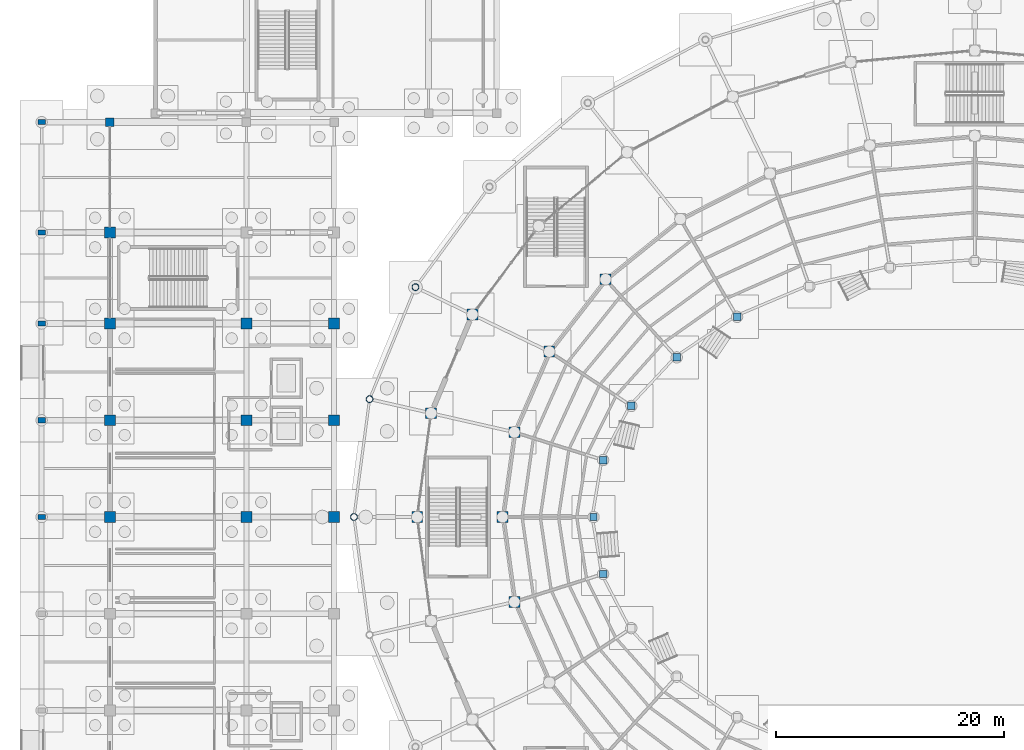
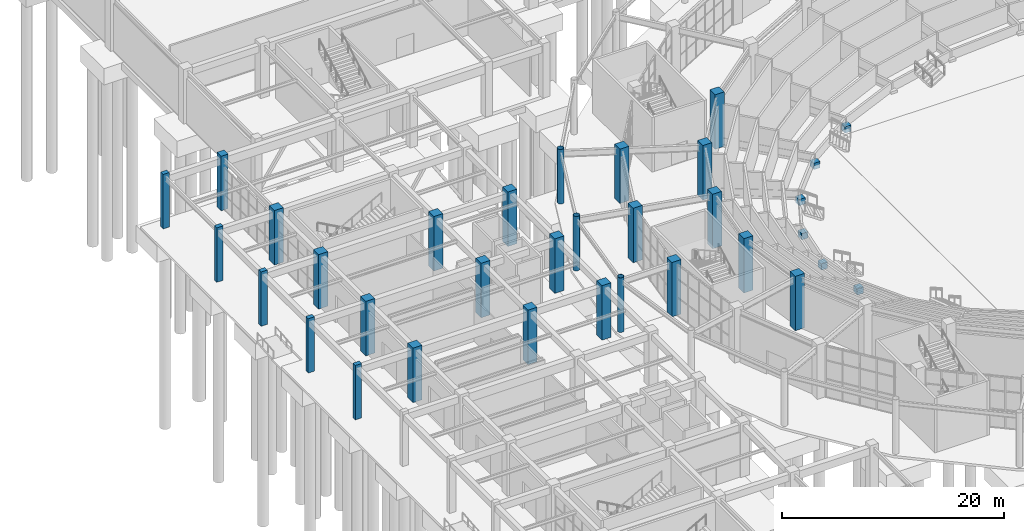
# One storey, part 14 of 121: 33 columns.
"""IFC4 building model written with IfcOpenShell, lengths in metres."""

from ifc_helpers import new_model, si_unit, direction, frame, origin, origin_2d, place, context, subcontext, project, spatial, rectangle, hollow_circle, extrude, material, material_profile, profile_set, type_object, element, save


model = new_model("IFC4")

# Units and contexts
model_context = context("Model", 3, precision=1e-05, world=origin(), true_north=direction((0.0, 1.0)))
body_context = subcontext(model_context, "Body", "Model", "MODEL_VIEW")
ifc_project = project(units=[si_unit("LENGTHUNIT", "METRE"), si_unit("AREAUNIT", "SQUARE_METRE"), si_unit("VOLUMEUNIT", "CUBIC_METRE"), si_unit("PLANEANGLEUNIT", "RADIAN"), si_unit("MASSUNIT", "GRAM", prefix="KILO")], contexts=[model_context])

# Site, building, storey
site_placement = place(None, origin())
site = spatial("IfcSite", under=ifc_project, at=site_placement, CompositionType="ELEMENT")
building_placement = place(site_placement, origin())
building = spatial("IfcBuilding", under=site, at=building_placement, Name="Cuetzalor Civic Arena", CompositionType="ELEMENT")
storey_placement = place(building_placement, origin())
storey = spatial("IfcBuildingStorey", under=building, at=storey_placement, Name="L00", CompositionType="ELEMENT", Elevation=0.0)

# Columns
ifc_material_1 = material(Name="Concrete C40/50", Category="concrete")
ifc_material_profile_1 = material_profile(ifc_material_1, rectangle(XDim=0.64990234375, YDim=0.449951171875, at=origin_2d()), Name="RC 650x450")
ifc_profile_set_1 = profile_set([ifc_material_profile_1], Name="Concrete C40/50")
column_type_1 = type_object("IfcColumnType", Name="ArcadePilaster_650x450", PredefinedType="PILASTER", material=ifc_profile_set_1)
for number, where, z_axis, x_axis, name in (
    (1, (-82.0, 0.0, 0.0), (0.0, 0.0, 1.0), (1.0, 0.0, 0.0), "Column V4W-C-01-07 L00"),
    (2, (-82.0, 8.5, 0.0), (0.0, 0.0, 1.0), (1.0, 0.0, 0.0), "Column V4W-C-01-08 L00"),
    (3, (-82.0, 17.0, 0.0), (0.0, 0.0, 1.0), (1.0, 0.0, 0.0), "Column V4W-C-01-09 L00"),
    (4, (-82.0, 25.0, 0.0), (0.0, 0.0, 1.0), (1.0, 0.0, 0.0), "Column V4W-C-01-10 L00"),
    (5, (-82.0, 34.699951171875, 0.0), (0.0, 0.0, 1.0), (1.0, 0.0, 0.0), "Column V4W-C-01-11 L00"),
):
    element("IfcColumn", number, at=place(storey_placement, frame(where, z_axis=z_axis, x_axis=x_axis)), inside=storey, type_object=column_type_1, Name=name, PredefinedType="PILASTER", context=body_context, shape_type="SweptSolid", body=[
        extrude(rectangle(XDim=0.64990234375, YDim=0.449951171875, at=origin_2d()), origin(), (0.0, 0.0, 1.0), 6.0),
    ])
ifc_material_2 = material(Name="Concrete C40/50", Category="concrete")
ifc_material_profile_2 = material_profile(ifc_material_2, rectangle(XDim=0.64990234375, YDim=0.64990234375, at=origin_2d()), Name="RC 650x650")
ifc_profile_set_2 = profile_set([ifc_material_profile_2], Name="Concrete C40/50")
column_type_2 = type_object("IfcColumnType", Name="ConcreteColumn_650", PredefinedType="COLUMN", material=ifc_profile_set_2)
for number, where, z_axis, x_axis, name in (
    (6, (-20.886962890625, 17.59130859375, -0.419921875), (0.0, 0.0, 1.0), (1.0, 0.0, 0.0), "Column V1-INR-11 L00"),
    (7, (-26.19140625, 14.028564453125, -0.419921875), (0.0, 0.0, 1.0), (1.0, 0.0, 0.0), "Column V1-INR-12 L00"),
    (8, (-30.1826171875, 9.762451171875, -0.419921875), (0.0, 0.0, 1.0), (1.0, 0.0, 0.0), "Column V1-INR-13 L00"),
    (9, (-32.66015625, 5.006591796875, -0.419921875), (0.0, 0.0, 1.0), (1.0, 0.0, 0.0), "Column V1-INR-14 L00"),
    (10, (-33.5, 0.0, -0.419921875), (0.0, 0.0, 1.0), (1.0, 0.0, 0.0), "Column V1-INR-15 L00"),
    (11, (-32.66015625, -5.006591796875, -0.419921875), (0.0, 0.0, 1.0), (1.0, 0.0, 0.0), "Column V1-INR-16 L00"),
):
    element("IfcColumn", number, at=place(storey_placement, frame(where, z_axis=z_axis, x_axis=x_axis)), inside=storey, type_object=column_type_2, Name=name, PredefinedType="COLUMN", context=body_context, shape_type="SweptSolid", body=[
        extrude(rectangle(XDim=0.64990234375, YDim=0.64990234375, at=origin_2d()), origin(), (0.0, 0.0, 1.0), 0.68701171875),
    ])
ifc_material_3 = material(Name="Concrete C40/50", Category="concrete")
ifc_material_profile_3 = material_profile(ifc_material_3, rectangle(XDim=0.75, YDim=0.75, at=origin_2d()), Name="RC 750x750")
ifc_profile_set_3 = profile_set([ifc_material_profile_3], Name="Concrete C40/50")
column_type_3 = type_object("IfcColumnType", Name="ConcreteColumn_750", PredefinedType="COLUMN", material=ifc_profile_set_3)
column_placement = place(storey_placement, frame((-76.0, 34.699951171875, 0.0), z_axis=(0.0, 0.0, 1.0), x_axis=(1.0, 0.0, 0.0)))
element("IfcColumn", 12, at=column_placement, inside=storey, type_object=column_type_3, Name="Column V4W-C-02-11 L00", PredefinedType="COLUMN", context=body_context, shape_type="SweptSolid", body=[
    extrude(rectangle(XDim=0.75, YDim=0.75, at=origin_2d()), origin(), (0.0, 0.0, 1.0), 6.0),
])
ifc_material_4 = material(Name="Concrete C40/50", Category="concrete")
ifc_material_profile_4 = material_profile(ifc_material_4, rectangle(XDim=0.949951171875, YDim=0.949951171875, at=origin_2d()), Name="RC 950x950")
ifc_profile_set_4 = profile_set([ifc_material_profile_4], Name="Concrete C40/50")
column_type_4 = type_object("IfcColumnType", Name="ConcreteColumn_950", PredefinedType="COLUMN", material=ifc_profile_set_4)
for number, where, z_axis, x_axis, name in (
    (13, (-32.446044921875, 20.886962890625, 0.0), (0.0, 0.0, 1.0), (1.0, 0.0, 0.0), "Column V1-MID-12 L00"),
    (14, (-44.1474609375, 17.789306640625, 0.0), (0.0, 0.0, 1.0), (1.0, 0.0, 0.0), "Column V1-REC-13 L00"),
    (15, (-37.39013671875, 14.53515625, 0.0), (0.0, 0.0, 1.0), (1.0, 0.0, 0.0), "Column V1-MID-13 L00"),
    (16, (-47.771484375, 9.123291015625, 0.0), (0.0, 0.0, 1.0), (1.0, 0.0, 0.0), "Column V1-REC-14 L00"),
    (17, (-40.45947265625, 7.45458984375, 0.0), (0.0, 0.0, 1.0), (1.0, 0.0, 0.0), "Column V1-MID-14 L00"),
    (18, (-49.0, 0.0, 0.0), (0.0, 0.0, 1.0), (1.0, 0.0, 0.0), "Column V1-REC-15 L00"),
    (19, (-41.5, 0.0, 0.0), (0.0, 0.0, 1.0), (1.0, 0.0, 0.0), "Column V1-MID-15 L00"),
    (20, (-40.45947265625, -7.45458984375, 0.0), (0.0, 0.0, 1.0), (1.0, 0.0, 0.0), "Column V1-MID-16 L00"),
    (21, (-76.0, 0.0, 0.0), (0.0, 0.0, 1.0), (1.0, 0.0, 0.0), "Column V4W-C-02-07 L00"),
    (22, (-76.0, 8.5, 0.0), (0.0, 0.0, 1.0), (1.0, 0.0, 0.0), "Column V4W-C-02-08 L00"),
    (23, (-76.0, 17.0, 0.0), (0.0, 0.0, 1.0), (1.0, 0.0, 0.0), "Column V4W-C-02-09 L00"),
    (24, (-76.0, 25.0, 0.0), (0.0, 0.0, 1.0), (1.0, 0.0, 0.0), "Column V4W-C-02-10 L00"),
    (25, (-64.0, 0.0, 0.0), (0.0, 0.0, 1.0), (1.0, 0.0, 0.0), "Column V4W-C-03-07 L00"),
    (26, (-64.0, 8.5, 0.0), (0.0, 0.0, 1.0), (1.0, 0.0, 0.0), "Column V4W-C-03-08 L00"),
    (27, (-64.0, 17.0, 0.0), (0.0, 0.0, 1.0), (1.0, 0.0, 0.0), "Column V4W-C-03-09 L00"),
    (28, (-56.300048828125, 0.0, 0.0), (0.0, 0.0, 1.0), (1.0, 0.0, 0.0), "Column V4W-C-04-07 L00"),
    (29, (-56.300048828125, 8.5, 0.0), (0.0, 0.0, 1.0), (1.0, 0.0, 0.0), "Column V4W-C-04-08 L00"),
    (30, (-56.300048828125, 17.0, 0.0), (0.0, 0.0, 1.0), (1.0, 0.0, 0.0), "Column V4W-C-04-09 L00"),
):
    element("IfcColumn", number, at=place(storey_placement, frame(where, z_axis=z_axis, x_axis=x_axis)), inside=storey, type_object=column_type_4, Name=name, PredefinedType="COLUMN", context=body_context, shape_type="SweptSolid", body=[
        extrude(rectangle(XDim=0.949951171875, YDim=0.949951171875, at=origin_2d()), origin(), (0.0, 0.0, 1.0), 6.0),
    ])
ifc_material_5 = material(Name="Steel S355", Category="steel")
ifc_material_profile_5 = material_profile(ifc_material_5, hollow_circle(Radius=0.304931640625, WallThickness=0.02490234375, at=origin_2d()), Name="CHS 610x25")
ifc_profile_set_5 = profile_set([ifc_material_profile_5], Name="Steel S355")
column_type_5 = type_object("IfcColumnType", Name="SteelDomePylon_CHS610", PredefinedType="COLUMN", material=ifc_profile_set_5)
for number, where, z_axis, x_axis, name in (
    (31, (-49.14794921875, 20.197265625, 0.0), (0.0, 0.0, 1.0), (1.0, 0.0, 0.0), "Column V1-PYL-13 L00"),
    (32, (-53.182373046875, 10.3583984375, 0.0), (0.0, 0.0, 1.0), (1.0, 0.0, 0.0), "Column V1-PYL-14 L00"),
    (33, (-54.550048828125, 0.0, 0.0), (0.0, 0.0, 1.0), (1.0, 0.0, 0.0), "Column V1-PYL-15 L00"),
):
    element("IfcColumn", number, at=place(storey_placement, frame(where, z_axis=z_axis, x_axis=x_axis)), inside=storey, type_object=column_type_5, Name=name, PredefinedType="COLUMN", context=body_context, shape_type="SweptSolid", body=[
        extrude(hollow_circle(Radius=0.304931640625, WallThickness=0.02490234375, at=origin_2d()), origin(), (0.0, 0.0, 1.0), 6.0),
    ])

save(model, "model.ifc")
